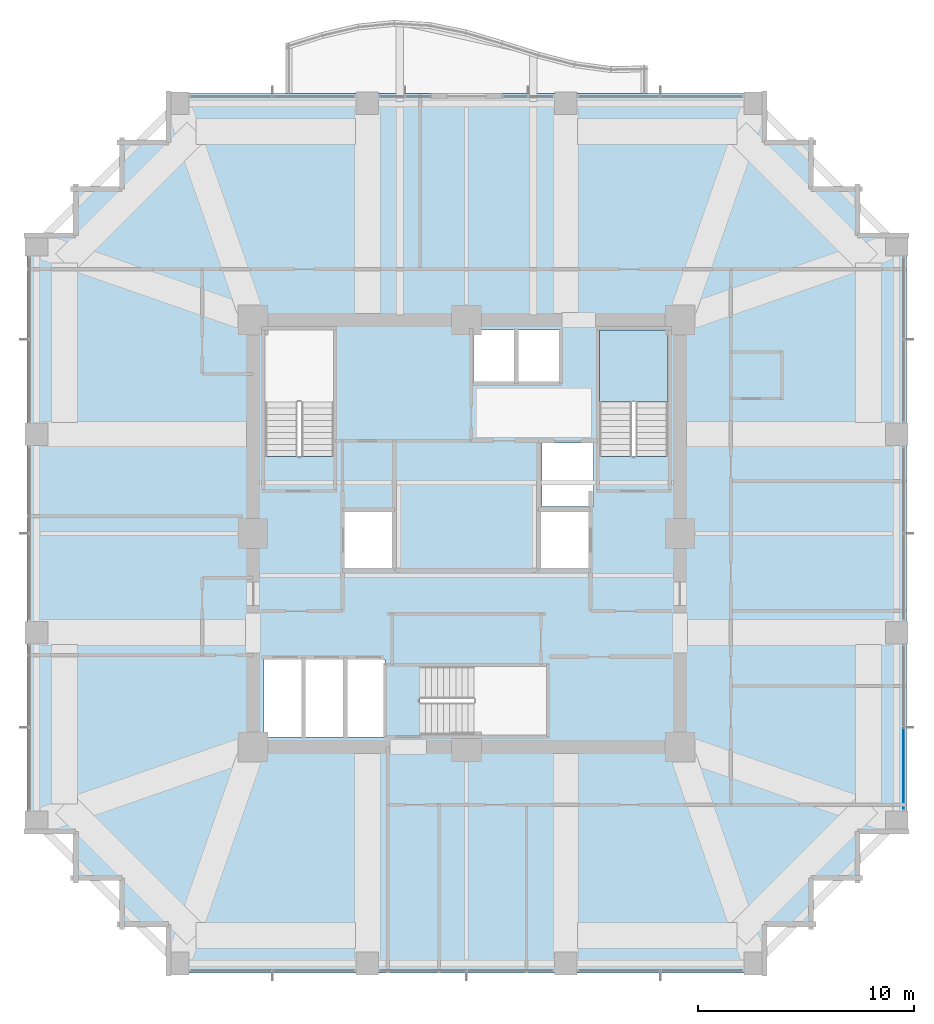
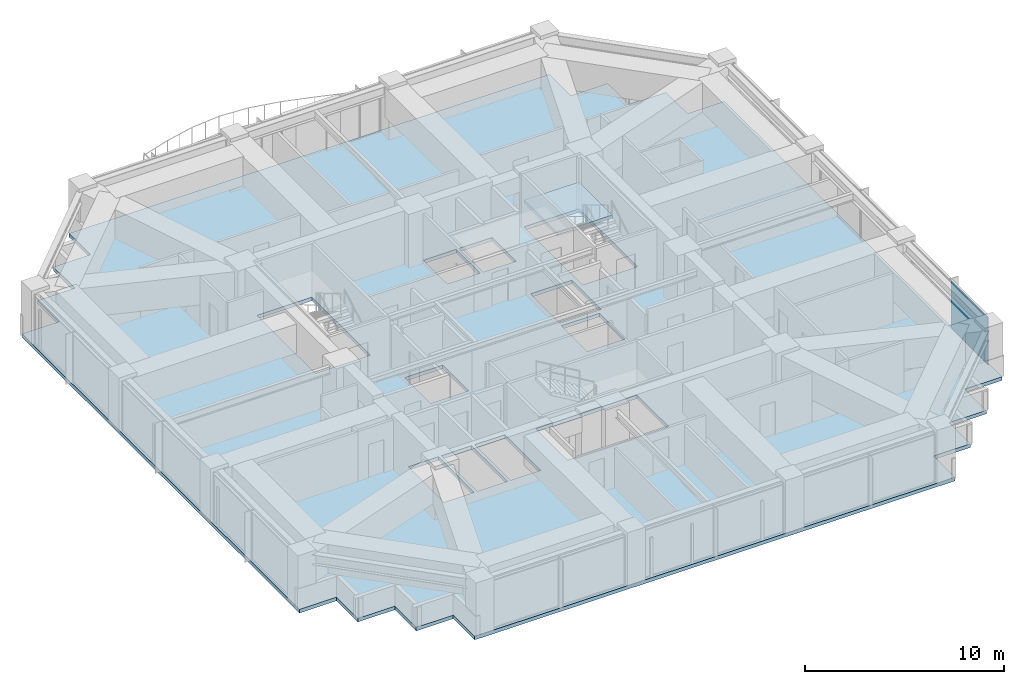
# One storey, part 27 of 34: 2 slabs, 1 plate, 2 elements without a shape of their own.
"""IFC4 building model written with IfcOpenShell, lengths in metres."""

import ifcopenshell
import ifcopenshell.guid

model = None  # the IFC model being written
_history = None  # IfcOwnerHistory: only IFC2X3 demands one
_inside = {}  # id of a spatial element -> (the spatial element, [elements in it])
_under = {}  # id of a project, library or spatial element -> (it, [spatial elements below it])
_declared = {}  # id of a project -> (the project, [libraries it declares])
_typed = {}  # id of a type object -> (the type object, [elements of that type])
_made_of = {}  # id of a material, layer set ... -> (it, [elements and type objects made of it])


def new_model(schema):
    """Start an empty IFC model of exactly this schema.

    Asked for "IFC4X3", IfcOpenShell would pick the latest addendum, in which some entities
    have other attributes; the version numbers below select the first issue.
    IFC2X3 requires an IfcOwnerHistory on every rooted entity: one is made here for all.
    """
    global model, _history
    if schema == "IFC4X3":
        model = ifcopenshell.file(schema_version=(4, 3, 0, 0))
    else:
        model = ifcopenshell.file(schema=schema)
    _inside.clear()
    _under.clear()
    _declared.clear()
    _typed.clear()
    _made_of.clear()
    _history = None
    if model.schema == "IFC2X3":
        org = make("IfcOrganization", Name="unknown")
        user = make(
            "IfcPersonAndOrganization",
            ThePerson=make("IfcPerson", FamilyName="unknown"),
            TheOrganization=org,
        )
        app = make(
            "IfcApplication",
            ApplicationDeveloper=org,
            Version="unknown",
            ApplicationFullName="unknown",
            ApplicationIdentifier="unknown",
        )
        _history = make(
            "IfcOwnerHistory",
            OwningUser=user,
            OwningApplication=app,
            ChangeAction="ADDED",
            CreationDate=0,
        )
    return model


def make(cls, **values):
    """One entity of the class cls with the attributes given. An attribute that is None is left unset."""
    return model.create_entity(
        cls, **{name: value for name, value in values.items() if value is not None}
    )


def rooted(cls, **values):
    """An entity with a GlobalId (a new one), such as an element, a storey or a relation."""
    return make(cls, GlobalId=ifcopenshell.guid.new(), OwnerHistory=_history, **values)


def si_unit(unit_type, name, prefix=None):
    """IfcSIUnit, for example si_unit("LENGTHUNIT", "METRE", prefix="MILLI")."""
    return make("IfcSIUnit", UnitType=unit_type, Prefix=prefix, Name=name)


def assignment(units):
    """IfcUnitAssignment: the units of a project."""
    return None if units is None else make("IfcUnitAssignment", Units=units)


def point(xyz):
    """IfcCartesianPoint."""
    return None if xyz is None else make("IfcCartesianPoint", Coordinates=xyz)


def direction(xyz):
    """IfcDirection."""
    return None if xyz is None else make("IfcDirection", DirectionRatios=xyz)


def frame(location, z_axis=None, x_axis=None):
    """IfcAxis2Placement3D, a coordinate frame: its origin and axes. An axis left out is left unset."""
    return make(
        "IfcAxis2Placement3D",
        Location=point(location),
        Axis=direction(z_axis),
        RefDirection=direction(x_axis),
    )


def frame_2d(location, x_axis=None):
    """IfcAxis2Placement2D, a coordinate frame in the plane: its origin and x axis."""
    return make(
        "IfcAxis2Placement2D", Location=point(location), RefDirection=direction(x_axis)
    )


def origin():
    """The frame at (0, 0, 0) with its axes left unset."""
    return frame((0.0, 0.0, 0.0))


def origin_2d():
    """The frame at (0, 0) in the plane with its x axis left unset."""
    return frame_2d((0.0, 0.0))


def place(relative_to, where):
    """IfcLocalPlacement: puts the frame where relative to a parent placement (None: the world)."""
    return make(
        "IfcLocalPlacement", PlacementRelTo=relative_to, RelativePlacement=where
    )


def context(
    kind, dimensions, precision=None, world=None, true_north=None, identifier=None
):
    """IfcGeometricRepresentationContext, for example the 3D "Model" context."""
    return make(
        "IfcGeometricRepresentationContext",
        ContextIdentifier=identifier,
        ContextType=kind,
        CoordinateSpaceDimension=dimensions,
        Precision=precision,
        WorldCoordinateSystem=world,
        TrueNorth=true_north,
    )


def subcontext(parent, identifier, kind, view, scale=None):
    """IfcGeometricRepresentationSubContext, for example "Body" below "Model"."""
    return make(
        "IfcGeometricRepresentationSubContext",
        ContextIdentifier=identifier,
        ContextType=kind,
        ParentContext=parent,
        TargetScale=scale,
        TargetView=view,
    )


def project(units=None, contexts=None):
    """IfcProject with its units and contexts."""
    return rooted(
        "IfcProject",
        Name="project",
        RepresentationContexts=contexts,
        UnitsInContext=assignment(units),
    )


def spatial(cls, under=None, at=None, **own):
    """A site, building, storey or space (cls), placed at a placement, below another one or the project."""
    s = rooted(cls, ObjectPlacement=at, **own)
    if under is not None:
        _under.setdefault(under.id(), (under, []))[1].append(s)
    return s


def polyline(points):
    """IfcPolyline through the points."""
    return make("IfcPolyline", Points=[point(p) for p in points])


def profile(cls, at=None, kind="AREA", **sizes):
    """A parametric profile (cls). Its sizes go by their IFC names, for example OverallWidth=200.0."""
    return make(cls, ProfileType=kind, Position=at, **sizes)


def rectangle(**sizes):
    """IfcRectangleProfileDef."""
    return profile("IfcRectangleProfileDef", **sizes)


def outline(outer, holes=None, kind="AREA"):
    """IfcArbitraryClosedProfileDef: a profile drawn as a closed curve; with holes, ...WithVoids."""
    if holes is None:
        return make("IfcArbitraryClosedProfileDef", ProfileType=kind, OuterCurve=outer)
    return make(
        "IfcArbitraryProfileDefWithVoids",
        ProfileType=kind,
        OuterCurve=outer,
        InnerCurves=holes,
    )


def extrude(swept, where, along, depth):
    """IfcExtrudedAreaSolid: the profile swept, set in the frame where, extruded along a direction by depth."""
    return make(
        "IfcExtrudedAreaSolid",
        SweptArea=swept,
        Position=where,
        ExtrudedDirection=direction(along),
        Depth=depth,
    )


def shape(context_of_items, identifier, shape_type, items):
    """IfcShapeRepresentation: the items that make up one representation, for example the "Body"."""
    return make(
        "IfcShapeRepresentation",
        ContextOfItems=context_of_items,
        RepresentationIdentifier=identifier,
        RepresentationType=shape_type,
        Items=items,
    )


def material(Name=None, Category=None):
    """IfcMaterial."""
    return make("IfcMaterial", Name=Name, Category=Category)


def layer(
    of_material, thickness, ventilated=None, Name=None, Category=None, Priority=None
):
    """IfcMaterialLayer: one layer of a wall or slab, of a material (None: an air gap)."""
    return make(
        "IfcMaterialLayer",
        Material=of_material,
        LayerThickness=thickness,
        IsVentilated=ventilated,
        Name=Name,
        Category=Category,
        Priority=Priority,
    )


def layer_set(layers, Name=None):
    """IfcMaterialLayerSet."""
    return make("IfcMaterialLayerSet", MaterialLayers=layers, LayerSetName=Name)


def made_of(thing, what):
    """Note that an element or type object is made of a material, layer set ...; save() writes the relation."""
    if what is not None:
        _made_of.setdefault(what.id(), (what, []))[1].append(thing)
    return thing


def type_object(cls, material=None, **own):
    """A type object (cls), such as IfcWallType, which elements share."""
    return made_of(rooted(cls, **own), material)


def element(
    cls,
    number,
    at=None,
    inside=None,
    cuts=None,
    type_object=None,
    material=None,
    context=None,
    identifier="Body",
    shape_type=None,
    held_by="IfcProductDefinitionShape",
    body=None,
    shapes=None,
    **own,
):
    """One element of the class cls, such as IfcWall. Its Tag is "e" and its number.

    at: its placement. inside: the storey or other place that contains it. cuts: it is an
    opening in that element (IfcRelVoidsElement). A single representation is given by context,
    identifier, shape_type and body (its items); several are given by shapes. held_by: the class
    of the entity that holds the representations. save() writes the other relations.
    """
    e = rooted(cls, Tag="e%d" % number, ObjectPlacement=at, **own)
    if body is not None:
        shapes = [shape(context, identifier, shape_type, body)]
    if shapes is not None:
        e.Representation = make(held_by, Representations=shapes)
    if inside is not None:
        _inside.setdefault(inside.id(), (inside, []))[1].append(e)
    if cuts is not None:
        rooted(
            "IfcRelVoidsElement", RelatingBuildingElement=cuts, RelatedOpeningElement=e
        )
    if type_object is not None:
        _typed.setdefault(type_object.id(), (type_object, []))[1].append(e)
    return made_of(e, material)


def aggregate(whole, parts):
    """IfcRelAggregates: a whole, such as a stair, and the parts it consists of."""
    return rooted("IfcRelAggregates", RelatingObject=whole, RelatedObjects=parts)


def save(model, path):
    """Write the relations noted so far, then the file.

    IfcRelAggregates (storeys below a building ...), IfcRelContainedInSpatialStructure (elements
    in a storey), IfcRelDefinesByType, IfcRelAssociatesMaterial and IfcRelDeclares: one each for
    every whole, place, type object, material and project.
    """
    for whole, parts in _under.values():
        aggregate(whole, parts)
    for where, things in _inside.values():
        rooted(
            "IfcRelContainedInSpatialStructure",
            RelatedElements=things,
            RelatingStructure=where,
        )
    for kind, things in _typed.values():
        rooted("IfcRelDefinesByType", RelatedObjects=things, RelatingType=kind)
    for what, things in _made_of.values():
        rooted("IfcRelAssociatesMaterial", RelatedObjects=things, RelatingMaterial=what)
    for by, libraries in _declared.values():
        rooted("IfcRelDeclares", RelatingContext=by, RelatedDefinitions=libraries)
    model.write(path)


model = new_model("IFC4")

# Units and contexts
model_context = context("Model", 3, precision=1e-05, world=origin(), true_north=direction((0.0, 1.0)))
body_context = subcontext(model_context, "Body", "Model", "MODEL_VIEW")
ifc_project = project(units=[si_unit("LENGTHUNIT", "METRE"), si_unit("AREAUNIT", "SQUARE_METRE"), si_unit("VOLUMEUNIT", "CUBIC_METRE"), si_unit("PLANEANGLEUNIT", "RADIAN"), si_unit("MASSUNIT", "GRAM", prefix="KILO")], contexts=[model_context])

# Site, building, storey
site_placement = place(None, origin())
site = spatial("IfcSite", under=ifc_project, at=site_placement, CompositionType="ELEMENT")
building_placement = place(site_placement, origin())
building = spatial("IfcBuilding", under=site, at=building_placement, Name="Kolvaren Belvedere", CompositionType="ELEMENT")
storey_placement = place(building_placement, frame((0.0, 0.0, 105.199951171875)))
storey = spatial("IfcBuildingStorey", under=building, at=storey_placement, Name="L30", CompositionType="ELEMENT", Elevation=105.199951171875)

# Curtain wall, plate
ifc_material_1 = material(Name="Anodised pale-metal aluminium AA 6063-T6", Category="aluminium")
curtain_wall_type = type_object("IfcCurtainWallType", Name="CW-Z2-MID", PredefinedType="NOTDEFINED", material=ifc_material_1)
curtain_wall_placement = place(storey_placement, origin())
curtain_wall = element("IfcCurtainWall", 1, at=curtain_wall_placement, inside=storey, type_object=curtain_wall_type, Name="L30 Unitised Curtain Wall FCW-L30-E-B3", PredefinedType="NOTDEFINED")
ifc_material_2 = material(Name="Low-iron triple insulated glass", Category="glass")
ifc_layer_1 = layer(ifc_material_2, 0.028076171875)
ifc_layer_set_1 = layer_set([ifc_layer_1], Name="Low-iron triple insulated glass")
plate_type = type_object("IfcPlateType", Name="CW-PNL-VIS28", PredefinedType="CURTAIN_PANEL", material=ifc_layer_set_1)
plate_placement = place(storey_placement, frame((20.280029296875, -10.9111328125, 0.080078125), z_axis=(0.0, 0.0, 1.0), x_axis=(0.0, -1.0, 0.0)))
plate = element("IfcPlate", 2, at=plate_placement, type_object=plate_type, Name="FCW-L30-E-B3 Vision Glazing Panel 2", PredefinedType="CURTAIN_PANEL", context=body_context, shape_type="SweptSolid", body=[
    extrude(rectangle(XDim=3.742431640625, YDim=0.028076171875, at=origin_2d()), origin(), (0.0, 0.0, 1.0), 2.919921875),
])
aggregate(curtain_wall, [plate])

# Slab
ifc_material_3 = material(Name="Concrete C50/60", Category="concrete")
ifc_layer_2 = layer(ifc_material_3, 0.219970703125)
ifc_layer_set_2 = layer_set([ifc_layer_2], Name="Concrete C50/60")
slab_type_1 = type_object("IfcSlabType", Name="SL-FLR-220", PredefinedType="FLOOR", material=ifc_layer_set_2)
slab_1_placement = place(storey_placement, frame((0.0, 0.0, -0.219970703125)))
element("IfcSlab", 3, at=slab_1_placement, inside=storey, type_object=slab_type_1, Name="L30 Primary Structural Slab", PredefinedType="FLOOR", context=body_context, shape_type="SweptSolid", body=[
    extrude(outline(polyline([(-13.949951171875, -20.39990234375), (13.949951171875, -20.39990234375), (13.949951171875, -18.25), (16.10009765625, -18.25), (16.10009765625, -16.10009765625), (18.25, -16.10009765625), (18.25, -13.949951171875), (20.39990234375, -13.949951171875), (20.39990234375, 13.949951171875), (18.25, 13.949951171875), (18.25, 16.10009765625), (16.10009765625, 16.10009765625), (16.10009765625, 18.25), (13.949951171875, 18.25), (13.949951171875, 20.39990234375), (-13.949951171875, 20.39990234375), (-13.949951171875, 18.25), (-16.10009765625, 18.25), (-16.10009765625, 16.10009765625), (-18.25, 16.10009765625), (-18.25, 13.949951171875), (-20.39990234375, 13.949951171875), (-20.39990234375, -13.949951171875), (-18.25, -13.949951171875), (-18.25, -16.10009765625), (-16.10009765625, -16.10009765625), (-16.10009765625, -18.25), (-13.949951171875, -18.25), (-13.949951171875, -20.39990234375)]), holes=[polyline([(-9.35009765625, 3.580078125), (-6.159912109375, 3.580078125), (-6.159912109375, 9.449951171875), (-9.35009765625, 9.449951171875), (-9.35009765625, 3.580078125)]), polyline([(6.159912109375, 3.580078125), (9.35009765625, 3.580078125), (9.35009765625, 9.449951171875), (6.159912109375, 9.449951171875), (6.159912109375, 3.580078125)]), polyline([(-2.169921875, -9.35009765625), (3.699951171875, -9.35009765625), (3.699951171875, -6.159912109375), (-2.169921875, -6.159912109375), (-2.169921875, -9.35009765625)]), polyline([(-5.64990234375, -1.60009765625), (-3.449951171875, -1.60009765625), (-3.449951171875, 1.0), (-5.64990234375, 1.0), (-5.64990234375, -1.60009765625)]), polyline([(3.5, 1.25), (5.89990234375, 1.25), (5.89990234375, 4.199951171875), (3.5, 4.199951171875), (3.5, 1.25)]), polyline([(3.449951171875, -1.60009765625), (5.64990234375, -1.60009765625), (5.64990234375, 1.0), (3.449951171875, 1.0), (3.449951171875, -1.60009765625)]), polyline([(-9.39990234375, -9.449951171875), (-7.64990234375, -9.449951171875), (-7.64990234375, -5.85009765625), (-9.39990234375, -5.85009765625), (-9.39990234375, -9.449951171875)]), polyline([(-7.469970703125, -9.449951171875), (-5.719970703125, -9.449951171875), (-5.719970703125, -5.85009765625), (-7.469970703125, -5.85009765625), (-7.469970703125, -9.449951171875)]), polyline([(-5.5400390625, -9.449951171875), (-3.7900390625, -9.449951171875), (-3.7900390625, -5.85009765625), (-5.5400390625, -5.85009765625), (-5.5400390625, -9.449951171875)]), polyline([(0.320068359375, 7.050048828125), (2.219970703125, 7.050048828125), (2.219970703125, 9.449951171875), (0.320068359375, 9.449951171875), (0.320068359375, 7.050048828125)]), polyline([(2.39990234375, 7.050048828125), (4.300048828125, 7.050048828125), (4.300048828125, 9.449951171875), (2.39990234375, 9.449951171875), (2.39990234375, 7.050048828125)])]), origin(), (0.0, 0.0, 1.0), 0.219970703125),
])

# Stair, slab
ifc_material_4 = material(Name="Concrete C50/60", Category="concrete")
stair_type = type_object("IfcStairType", Name="ST-CORE-1520", PredefinedType="HALF_TURN_STAIR", material=ifc_material_4)
stair_placement = place(storey_placement, origin())
stair = element("IfcStair", 4, at=stair_placement, inside=storey, type_object=stair_type, Name="L30 Protected Exit Stair ST-2", PredefinedType="HALF_TURN_STAIR")
ifc_material_5 = material(Name="Concrete C50/60", Category="concrete")
ifc_layer_3 = layer(ifc_material_5, 0.260009765625)
ifc_layer_set_3 = layer_set([ifc_layer_3], Name="Concrete C50/60")
slab_type_2 = type_object("IfcSlabType", Name="SL-LAND-260", PredefinedType="LANDING", material=ifc_layer_set_3)
slab_2_placement = place(storey_placement, frame((0.0, 0.0, 1.449951171875)))
slab_2 = element("IfcSlab", 5, at=slab_2_placement, type_object=slab_type_2, Name="ST-2 landing 1", PredefinedType="LANDING", context=body_context, shape_type="SweptSolid", body=[
    extrude(outline(polyline([(9.35009765625, 6.090087890625), (9.35009765625, 9.449951171875), (6.159912109375, 9.449951171875), (6.159912109375, 6.090087890625), (9.35009765625, 6.090087890625)])), origin(), (0.0, 0.0, 1.0), 0.2001953125),
])
aggregate(stair, [slab_2])

save(model, "model.ifc")
